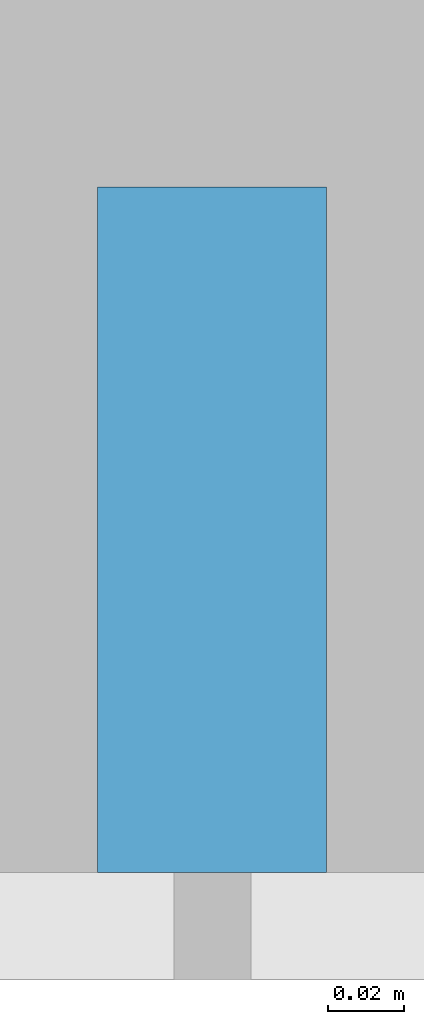
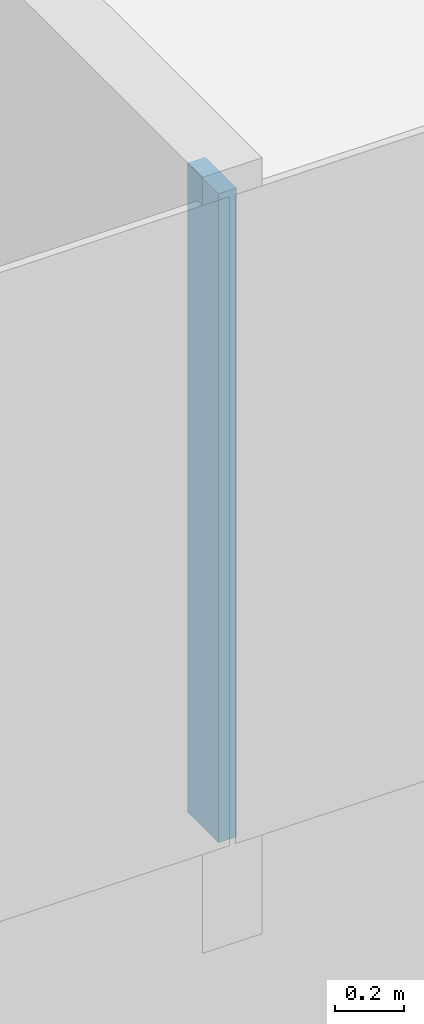
# One storey, part 5 of 26: 1 member, 1 element without a shape of its own.
"""IFC4 building model written with IfcOpenShell, lengths in metres."""

from ifc_helpers import new_model, si_unit, direction, frame, origin, origin_2d, place, context, subcontext, project, spatial, rectangle, extrude, material, layer, layer_set, material_profile, profile_set, type_object, element, aggregate, save


model = new_model("IFC4")

# Units and contexts
model_context = context("Model", 3, precision=1e-05, world=origin(), true_north=direction((0.0, 1.0)))
body_context = subcontext(model_context, "Body", "Model", "MODEL_VIEW")
ifc_project = project(units=[si_unit("LENGTHUNIT", "METRE"), si_unit("AREAUNIT", "SQUARE_METRE"), si_unit("VOLUMEUNIT", "CUBIC_METRE"), si_unit("PLANEANGLEUNIT", "RADIAN"), si_unit("MASSUNIT", "GRAM", prefix="KILO")], contexts=[model_context])

# Site, building, storey
site_placement = place(None, origin())
site = spatial("IfcSite", under=ifc_project, at=site_placement, CompositionType="ELEMENT")
building_placement = place(site_placement, origin())
building = spatial("IfcBuilding", under=site, at=building_placement, Name="Hakoniwa Tower and Hamabe Station Hall", CompositionType="ELEMENT")
storey_placement = place(building_placement, frame((0.0, 0.0, 169.39990234375)))
storey = spatial("IfcBuildingStorey", under=building, at=storey_placement, Name="L48", CompositionType="ELEMENT", Elevation=169.39990234375)

# Curtain wall, member
ifc_material_1 = material(Name="Dark low-e laminated glass", Category="glass")
ifc_layer = layer(ifc_material_1, 0.199951171875)
ifc_layer_set = layer_set([ifc_layer], Name="CW-1 UNITISED GUEST")
curtain_wall_type = type_object("IfcCurtainWallType", Name="CW-1 UNITISED GUEST", PredefinedType="NOTDEFINED", material=ifc_layer_set)
curtain_wall_placement = place(storey_placement, origin())
curtain_wall = element("IfcCurtainWall", 1, at=curtain_wall_placement, inside=storey, type_object=curtain_wall_type, Name="CW-1 curtain wall", PredefinedType="NOTDEFINED")
ifc_material_2 = material(Name="Aluminium 6063-T5 black anodised", Category="aluminium")
ifc_material_profile = material_profile(ifc_material_2, rectangle(XDim=0.06005859375, YDim=0.179931640625, at=origin_2d()), Name="CW-1 MULLION 60X180")
ifc_profile_set = profile_set([ifc_material_profile], Name="Aluminium 6063-T5 black anodised")
member_type = type_object("IfcMemberType", Name="CW-1 MULLION 60X180", PredefinedType="MULLION", material=ifc_profile_set)
member_placement = place(storey_placement, frame((8.39990234375, -19.181884765625, 0.35009765625), z_axis=(0.0, 0.0, 1.0), x_axis=(1.0, 0.0, 0.0)))
member = element("IfcMember", 2, at=member_placement, type_object=member_type, Name="CW-1 mullion", PredefinedType="MULLION", context=body_context, shape_type="SweptSolid", body=[
    extrude(rectangle(XDim=0.06005859375, YDim=0.179931640625, at=origin_2d()), origin(), (0.0, 0.0, 1.0), 2.300048828125),
])
aggregate(curtain_wall, [member])

save(model, "model.ifc")
